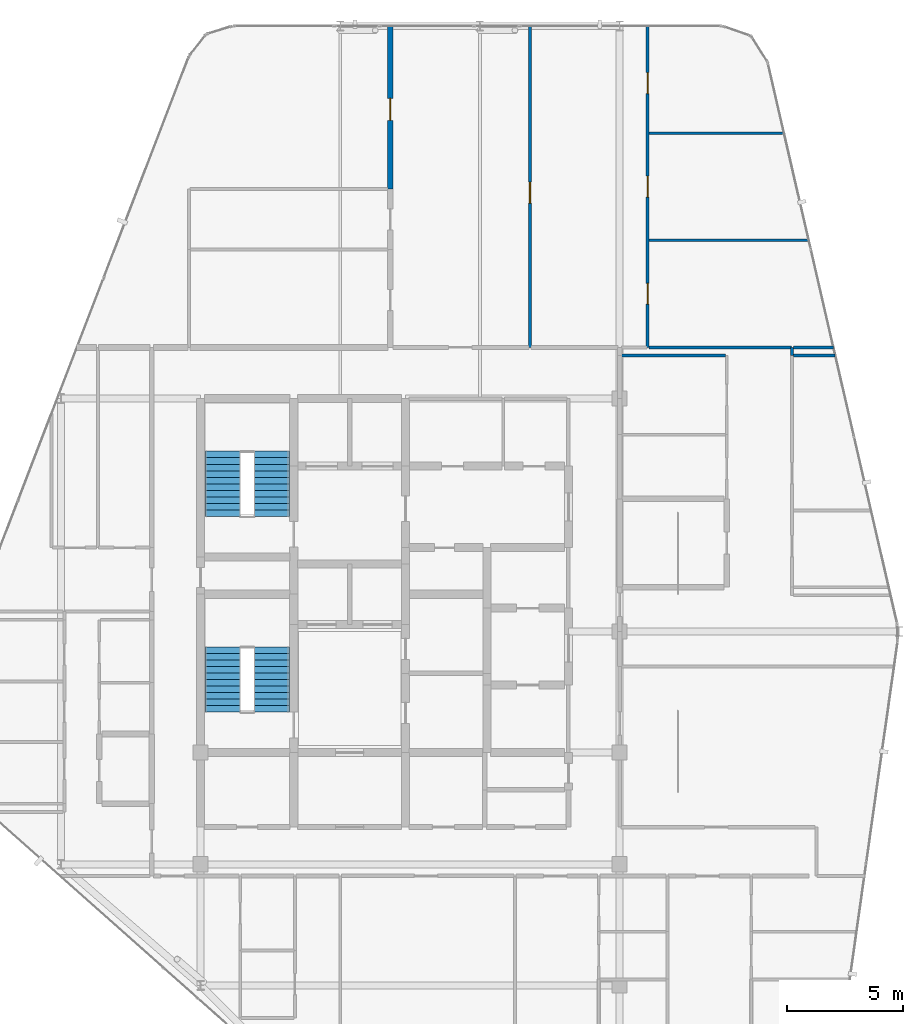
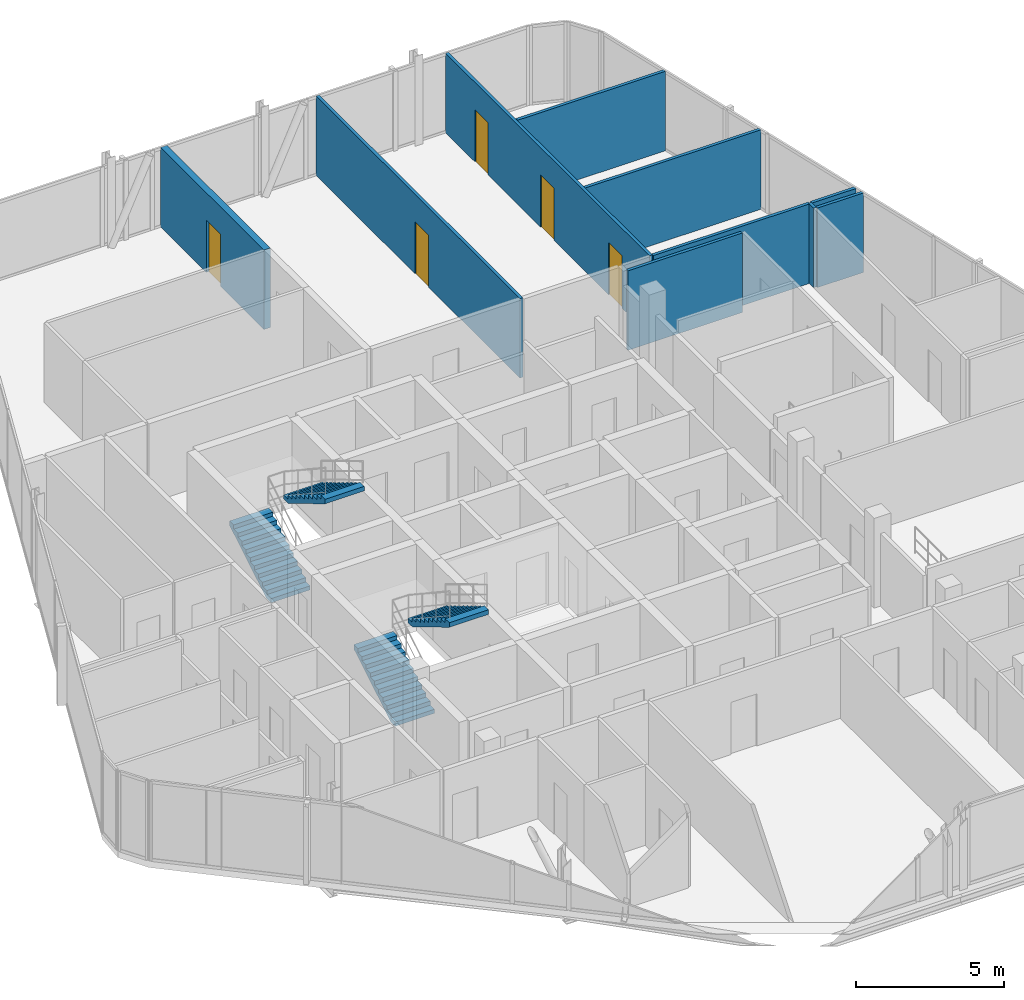
# One storey, part 26 of 27: 10 walls, 5 doors, 4 stair flights, 5 openings, 2 elements without a shape of their own.
"""IFC4 building model written with IfcOpenShell, lengths in metres."""

from ifc_helpers import new_model, si_unit, direction, frame, frame_2d, origin, place, context, subcontext, project, spatial, polyline, rectangle, outline, extrude, material, layer, layer_set, type_object, element, fill, aggregate, save


model = new_model("IFC4")

# Units and contexts
model_context = context("Model", 3, precision=1e-05, world=origin(), true_north=direction((0.0, 1.0)))
body_context = subcontext(model_context, "Body", "Model", "MODEL_VIEW")
ifc_project = project(units=[si_unit("LENGTHUNIT", "METRE"), si_unit("AREAUNIT", "SQUARE_METRE"), si_unit("VOLUMEUNIT", "CUBIC_METRE"), si_unit("PLANEANGLEUNIT", "RADIAN"), si_unit("MASSUNIT", "GRAM", prefix="KILO")], contexts=[model_context])

# Site, building, storey
site_placement = place(None, origin())
site = spatial("IfcSite", under=ifc_project, at=site_placement, CompositionType="ELEMENT")
building_placement = place(site_placement, origin())
building = spatial("IfcBuilding", under=site, at=building_placement, Name="Keshet Zoharim Tower", CompositionType="ELEMENT")
storey_placement = place(building_placement, frame((0.0, 0.0, 311.0)))
storey = spatial("IfcBuildingStorey", under=building, at=storey_placement, Name="L78", CompositionType="ELEMENT", Elevation=311.0)

# Wall, opening, door
ifc_material_1 = material(Name="Concrete C50/60", Category="concrete")
ifc_layer_1 = layer(ifc_material_1, 0.25)
ifc_layer_set_1 = layer_set([ifc_layer_1], Name="Concrete C50/60")
wall_type_1 = type_object("IfcWallType", Name="WL-MAMAD-250", PredefinedType="STANDARD", material=ifc_layer_set_1)
wall_1_placement = place(storey_placement, frame((23.14990234375, 46.89990234375, 0.0), z_axis=(0.0, 0.0, 1.0), x_axis=(0.0, 1.0, 0.0)))
wall_1 = element("IfcWall", 1, at=wall_1_placement, inside=storey, type_object=wall_type_1, Name="L78 Interior Wall 036", PredefinedType="STANDARD", context=body_context, shape_type="SweptSolid", body=[
    extrude(rectangle(XDim=6.989990234375, YDim=0.25, at=frame_2d((3.4951171875, 0.0))), origin(), (0.0, 0.0, 1.0), 3.280029296875),
])
opening_1_placement = place(wall_1_placement, frame((2.948974609375, 0.0, 0.0)))
opening_1 = element("IfcOpeningElement", 2, at=opening_1_placement, cuts=wall_1, Name="Opening D-F695", PredefinedType="OPENING", context=body_context, shape_type="SweptSolid", body=[
    extrude(rectangle(XDim=0.949951171875, YDim=2.14990234375, at=frame_2d((0.47509765625, 1.074951171875))), frame((0.0, 0.135009765625, 0.0), z_axis=(0.0, -1.0, 0.0), x_axis=(1.0, 0.0, 0.0)), (0.0, 0.0, 1.0), 0.27001953125),
])
ifc_material_2 = material(Name="Hardwood Timber", Category="wood")
door_type_1 = type_object("IfcDoorType", Name="DR-FD60-095", OperationType="NOTDEFINED", PredefinedType="DOOR", material=ifc_material_2)
door_1_placement = place(opening_1_placement, origin())
door_1 = element("IfcDoor", 3, at=door_1_placement, inside=storey, type_object=door_type_1, Name="Apartment 7804 Study and Shelter Room Door", OperationType="SINGLE_SWING_RIGHT", OverallHeight=2.14990234375, OverallWidth=0.949951171875, PredefinedType="DOOR", context=body_context, shape_type="SweptSolid", body=[
    extrude(rectangle(XDim=0.949951171875, YDim=2.14990234375, at=frame_2d((0.47509765625, 1.074951171875))), frame((0.0, 0.02490234375, 0.0), z_axis=(0.0, -1.0, 0.0), x_axis=(1.0, 0.0, 0.0)), (0.0, 0.0, 1.0), 0.050048828125),
])
fill(opening_1, door_1)

ifc_material_3 = material(Name="Gypsum Plasterboard", Category="gypsum")
ifc_layer_2 = layer(ifc_material_3, 0.1201171875)
ifc_layer_set_2 = layer_set([ifc_layer_2], Name="Gypsum Plasterboard")
wall_type_2 = type_object("IfcWallType", Name="WL-PART-120", PredefinedType="PARTITIONING", material=ifc_layer_set_2)
wall_2_placement = place(storey_placement, frame((29.14990234375, 40.10009765625, 0.0), z_axis=(0.0, 0.0, 1.0), x_axis=(0.0, 1.0, 0.0)))
wall_2 = element("IfcWall", 4, at=wall_2_placement, inside=storey, type_object=wall_type_2, Name="L78 Interior Wall 052", PredefinedType="PARTITIONING", context=body_context, shape_type="SweptSolid", body=[
    extrude(rectangle(XDim=13.789794921875, YDim=0.1201171875, at=frame_2d((6.89501953125, 0.0))), origin(), (0.0, 0.0, 1.0), 3.280029296875),
])
opening_2_placement = place(wall_2_placement, frame((6.199951171875, 0.0, 0.0)))
opening_2 = element("IfcOpeningElement", 5, at=opening_2_placement, cuts=wall_2, Name="Opening D-IN90", PredefinedType="OPENING", context=body_context, shape_type="SweptSolid", body=[
    extrude(rectangle(XDim=0.89990234375, YDim=2.14990234375, at=frame_2d((0.449951171875, 1.074951171875))), frame((0.0, 0.070068359375, 0.0), z_axis=(0.0, -1.0, 0.0), x_axis=(1.0, 0.0, 0.0)), (0.0, 0.0, 1.0), 0.14013671875),
])
door_type_2 = type_object("IfcDoorType", Name="DR-INT-090", OperationType="NOTDEFINED", PredefinedType="DOOR", material=ifc_material_2)
door_2_placement = place(opening_2_placement, origin())
door_2 = element("IfcDoor", 6, at=door_2_placement, inside=storey, type_object=door_type_2, Name="Apartment 7804 Formal Dining Room Door", OperationType="SINGLE_SWING_RIGHT", OverallHeight=2.14990234375, OverallWidth=0.89990234375, PredefinedType="DOOR", context=body_context, shape_type="SweptSolid", body=[
    extrude(rectangle(XDim=0.89990234375, YDim=2.14990234375, at=frame_2d((0.449951171875, 1.074951171875))), frame((0.0, 0.02490234375, 0.0), z_axis=(0.0, -1.0, 0.0), x_axis=(1.0, 0.0, 0.0)), (0.0, 0.0, 1.0), 0.050048828125),
])
fill(opening_2, door_2)

# Wall, openings, doors
wall_3_placement = place(storey_placement, frame((34.199951171875, 40.10009765625, 0.0), z_axis=(0.0, 0.0, 1.0), x_axis=(0.0, 1.0, 0.0)))
wall_3 = element("IfcWall", 7, at=wall_3_placement, inside=storey, type_object=wall_type_2, Name="L78 Interior Wall 069", PredefinedType="PARTITIONING", context=body_context, shape_type="SweptSolid", body=[
    extrude(rectangle(XDim=13.789794921875, YDim=0.1201171875, at=frame_2d((6.89501953125, 0.0))), origin(), (0.0, 0.0, 1.0), 3.280029296875),
])
opening_3_placement = place(wall_3_placement, frame((1.85205078125, 0.0, 0.0)))
opening_3 = element("IfcOpeningElement", 8, at=opening_3_placement, cuts=wall_3, Name="Opening D-IN90", PredefinedType="OPENING", context=body_context, shape_type="SweptSolid", body=[
    extrude(rectangle(XDim=0.89990234375, YDim=2.14990234375, at=frame_2d((0.449951171875, 1.074951171875))), frame((0.0, 0.070068359375, 0.0), z_axis=(0.0, -1.0, 0.0), x_axis=(1.0, 0.0, 0.0)), (0.0, 0.0, 1.0), 0.14013671875),
])
opening_4_placement = place(wall_3_placement, frame((6.449951171875, 0.0, 0.0)))
opening_4 = element("IfcOpeningElement", 9, at=opening_4_placement, cuts=wall_3, Name="Opening D-IN90", PredefinedType="OPENING", context=body_context, shape_type="SweptSolid", body=[
    extrude(rectangle(XDim=0.89990234375, YDim=2.14990234375, at=frame_2d((0.449951171875, 1.074951171875))), frame((0.0, 0.070068359375, 0.0), z_axis=(0.0, -1.0, 0.0), x_axis=(1.0, 0.0, 0.0)), (0.0, 0.0, 1.0), 0.14013671875),
])
opening_5_placement = place(wall_3_placement, frame((10.89794921875, 0.0, 0.0)))
opening_5 = element("IfcOpeningElement", 10, at=opening_5_placement, cuts=wall_3, Name="Opening D-IN90", PredefinedType="OPENING", context=body_context, shape_type="SweptSolid", body=[
    extrude(rectangle(XDim=0.89990234375, YDim=2.14990234375, at=frame_2d((0.449951171875, 1.074951171875))), frame((0.0, 0.070068359375, 0.0), z_axis=(0.0, -1.0, 0.0), x_axis=(1.0, 0.0, 0.0)), (0.0, 0.0, 1.0), 0.14013671875),
])
door_3_placement = place(opening_3_placement, origin())
door_3 = element("IfcDoor", 11, at=door_3_placement, inside=storey, type_object=door_type_2, Name="Apartment 7804 Bedroom 1 Door", OperationType="SINGLE_SWING_LEFT", OverallHeight=2.14990234375, OverallWidth=0.89990234375, PredefinedType="DOOR", context=body_context, shape_type="SweptSolid", body=[
    extrude(rectangle(XDim=0.89990234375, YDim=2.14990234375, at=frame_2d((0.449951171875, 1.074951171875))), frame((0.0, 0.02490234375, 0.0), z_axis=(0.0, -1.0, 0.0), x_axis=(1.0, 0.0, 0.0)), (0.0, 0.0, 1.0), 0.050048828125),
])
fill(opening_3, door_3)
door_4_placement = place(opening_4_placement, origin())
door_4 = element("IfcDoor", 12, at=door_4_placement, inside=storey, type_object=door_type_2, Name="Apartment 7804 Bedroom 2 Door", OperationType="SINGLE_SWING_RIGHT", OverallHeight=2.14990234375, OverallWidth=0.89990234375, PredefinedType="DOOR", context=body_context, shape_type="SweptSolid", body=[
    extrude(rectangle(XDim=0.89990234375, YDim=2.14990234375, at=frame_2d((0.449951171875, 1.074951171875))), frame((0.0, 0.02490234375, 0.0), z_axis=(0.0, -1.0, 0.0), x_axis=(1.0, 0.0, 0.0)), (0.0, 0.0, 1.0), 0.050048828125),
])
fill(opening_4, door_4)
door_5_placement = place(opening_5_placement, origin())
door_5 = element("IfcDoor", 13, at=door_5_placement, inside=storey, type_object=door_type_2, Name="Apartment 7804 Bedroom 3 Door", OperationType="SINGLE_SWING_LEFT", OverallHeight=2.14990234375, OverallWidth=0.89990234375, PredefinedType="DOOR", context=body_context, shape_type="SweptSolid", body=[
    extrude(rectangle(XDim=0.89990234375, YDim=2.14990234375, at=frame_2d((0.449951171875, 1.074951171875))), frame((0.0, 0.02490234375, 0.0), z_axis=(0.0, -1.0, 0.0), x_axis=(1.0, 0.0, 0.0)), (0.0, 0.0, 1.0), 0.050048828125),
])
fill(opening_5, door_5)

# Walls
wall_4_placement = place(storey_placement, frame((40.39990234375, 39.75, 0.0), z_axis=(0.0, 0.0, 1.0), x_axis=(0.0, 1.0, 0.0)))
element("IfcWall", 14, at=wall_4_placement, inside=storey, type_object=wall_type_2, Name="L78 Interior Wall 081", PredefinedType="PARTITIONING", context=body_context, shape_type="SweptSolid", body=[
    extrude(rectangle(XDim=0.35009765625, YDim=0.1201171875, at=frame_2d((0.175048828125, 0.0))), origin(), (0.0, 0.0, 1.0), 3.280029296875),
])
wall_5_placement = place(storey_placement, frame((33.074951171875, 39.75, 0.0), z_axis=(0.0, 0.0, 1.0), x_axis=(1.0, 0.0, 0.0)))
element("IfcWall", 15, at=wall_5_placement, inside=storey, type_object=wall_type_2, Name="L78 Interior Wall 146", PredefinedType="PARTITIONING", context=body_context, shape_type="SweptSolid", body=[
    extrude(rectangle(XDim=4.4599609375, YDim=0.1201171875, at=frame_2d((2.22998046875, 0.0))), origin(), (0.0, 0.0, 1.0), 3.280029296875),
])
wall_6_placement = place(storey_placement, frame((40.465087890625, 39.75, 0.0), z_axis=(0.0, 0.0, 1.0), x_axis=(1.0, 0.0, 0.0)))
element("IfcWall", 16, at=wall_6_placement, inside=storey, type_object=wall_type_2, Name="L78 Interior Wall 147", PredefinedType="PARTITIONING", context=body_context, shape_type="SweptSolid", body=[
    extrude(rectangle(XDim=1.789794921875, YDim=0.1201171875, at=frame_2d((0.89501953125, 0.0))), origin(), (0.0, 0.0, 1.0), 3.280029296875),
])
wall_7_placement = place(storey_placement, frame((34.264892578125, 40.10009765625, 0.0), z_axis=(0.0, 0.0, 1.0), x_axis=(1.0, 0.0, 0.0)))
element("IfcWall", 17, at=wall_7_placement, inside=storey, type_object=wall_type_2, Name="L78 Interior Wall 155", PredefinedType="PARTITIONING", context=body_context, shape_type="SweptSolid", body=[
    extrude(rectangle(XDim=6.110107421875, YDim=0.1201171875, at=frame_2d((3.05517578125, 0.0))), origin(), (0.0, 0.0, 1.0), 3.280029296875),
])
wall_8_placement = place(storey_placement, frame((40.465087890625, 40.10009765625, 0.0), z_axis=(0.0, 0.0, 1.0), x_axis=(1.0, 0.0, 0.0)))
element("IfcWall", 18, at=wall_8_placement, inside=storey, type_object=wall_type_2, Name="L78 Interior Wall 156", PredefinedType="PARTITIONING", context=body_context, shape_type="SweptSolid", body=[
    extrude(rectangle(XDim=1.7099609375, YDim=0.1201171875, at=frame_2d((0.85498046875, 0.0))), origin(), (0.0, 0.0, 1.0), 3.280029296875),
])
wall_9_placement = place(storey_placement, frame((34.264892578125, 44.699951171875, 0.0), z_axis=(0.0, 0.0, 1.0), x_axis=(1.0, 0.0, 0.0)))
element("IfcWall", 19, at=wall_9_placement, inside=storey, type_object=wall_type_2, Name="L78 Interior Wall 158", PredefinedType="PARTITIONING", context=body_context, shape_type="SweptSolid", body=[
    extrude(rectangle(XDim=6.84814453125, YDim=0.1201171875, at=frame_2d((3.424072265625, 0.0))), origin(), (0.0, 0.0, 1.0), 3.280029296875),
])
wall_10_placement = place(storey_placement, frame((34.264892578125, 49.300048828125, 0.0), z_axis=(0.0, 0.0, 1.0), x_axis=(1.0, 0.0, 0.0)))
element("IfcWall", 20, at=wall_10_placement, inside=storey, type_object=wall_type_2, Name="L78 Interior Wall 160", PredefinedType="PARTITIONING", context=body_context, shape_type="SweptSolid", body=[
    extrude(rectangle(XDim=5.787109375, YDim=0.1201171875, at=frame_2d((2.8935546875, 0.0))), origin(), (0.0, 0.0, 1.0), 3.280029296875),
])

# Stair, stair flights
stair_type = type_object("IfcStairType", Name="STR-EXIT-135", PredefinedType="HALF_TURN_STAIR", material=ifc_material_1)
stair_1_placement = place(storey_placement, origin())
stair_1 = element("IfcStair", 21, at=stair_1_placement, inside=storey, type_object=stair_type, Name="L78 Enclosed Exit Stair ST-01", PredefinedType="HALF_TURN_STAIR")
stair_flight_type = type_object("IfcStairFlightType", Name="FLT-PRE-135", PredefinedType="STRAIGHT", material=ifc_material_1)
stair_flight_1_placement = place(storey_placement, frame((15.945068359375, 24.43994140625, 0.0), z_axis=(0.0, 0.0, 1.0), x_axis=(0.0, 1.0, 0.0)))
stair_flight_1 = element("IfcStairFlight", 22, at=stair_flight_1_placement, type_object=stair_flight_type, Name="ST-01 flight 1", NumberOfRisers=11, NumberOfTreads=10, PredefinedType="STRAIGHT", RiserHeight=0.168182, TreadLength=0.28, context=body_context, shape_type="SweptSolid", body=[
    extrude(outline(polyline([(0.0, 0.0), (0.0, 0.168212890625), (0.280029296875, 0.168212890625), (0.280029296875, 0.33642578125), (0.56005859375, 0.33642578125), (0.56005859375, 0.504638671875), (0.840087890625, 0.504638671875), (0.840087890625, 0.672607421875), (1.1201171875, 0.672607421875), (1.1201171875, 0.8408203125), (1.39990234375, 0.8408203125), (1.39990234375, 1.009033203125), (1.679931640625, 1.009033203125), (1.679931640625, 1.17724609375), (1.9599609375, 1.17724609375), (1.9599609375, 1.345458984375), (2.239990234375, 1.345458984375), (2.239990234375, 1.513671875), (2.52001953125, 1.513671875), (2.52001953125, 1.681884765625), (2.800048828125, 1.681884765625), (2.800048828125, 1.85009765625), (2.800048828125, 1.495361328125), (0.310546875, 0.0), (0.0, 0.0)])), frame((0.0, 0.76513671875, 0.0), z_axis=(0.0, -1.0, 0.0), x_axis=(1.0, 0.0, 0.0)), (0.0, 0.0, 1.0), 1.530029296875),
])
stair_flight_2_placement = place(storey_placement, frame((18.054931640625, 27.239990234375, 1.85009765625), z_axis=(0.0, 0.0, 1.0), x_axis=(0.0, -1.0, 0.0)))
stair_flight_2 = element("IfcStairFlight", 23, at=stair_flight_2_placement, type_object=stair_flight_type, Name="ST-01 flight 2", NumberOfRisers=11, NumberOfTreads=10, PredefinedType="STRAIGHT", RiserHeight=0.168182, TreadLength=0.28, context=body_context, shape_type="SweptSolid", body=[
    extrude(outline(polyline([(0.0, 0.0), (0.0, 0.168212890625), (0.280029296875, 0.168212890625), (0.280029296875, 0.33642578125), (0.56005859375, 0.33642578125), (0.56005859375, 0.504638671875), (0.840087890625, 0.504638671875), (0.840087890625, 0.672607421875), (1.1201171875, 0.672607421875), (1.1201171875, 0.8408203125), (1.39990234375, 0.8408203125), (1.39990234375, 1.009033203125), (1.679931640625, 1.009033203125), (1.679931640625, 1.17724609375), (1.9599609375, 1.17724609375), (1.9599609375, 1.345458984375), (2.239990234375, 1.345458984375), (2.239990234375, 1.513671875), (2.52001953125, 1.513671875), (2.52001953125, 1.681884765625), (2.800048828125, 1.681884765625), (2.800048828125, 1.85009765625), (2.800048828125, 1.495361328125), (0.310546875, 0.0), (0.0, 0.0)])), frame((0.0, 0.76513671875, 0.0), z_axis=(0.0, -1.0, 0.0), x_axis=(1.0, 0.0, 0.0)), (0.0, 0.0, 1.0), 1.530029296875),
])
aggregate(stair_1, [stair_flight_1, stair_flight_2])

stair_2_placement = place(storey_placement, origin())
stair_2 = element("IfcStair", 24, at=stair_2_placement, inside=storey, type_object=stair_type, Name="L78 Enclosed Exit Stair ST-02", PredefinedType="HALF_TURN_STAIR")
stair_flight_3_placement = place(storey_placement, frame((15.945068359375, 32.840087890625, 0.0), z_axis=(0.0, 0.0, 1.0), x_axis=(0.0, 1.0, 0.0)))
stair_flight_3 = element("IfcStairFlight", 25, at=stair_flight_3_placement, type_object=stair_flight_type, Name="ST-02 flight 1", NumberOfRisers=11, NumberOfTreads=10, PredefinedType="STRAIGHT", RiserHeight=0.168182, TreadLength=0.28, context=body_context, shape_type="SweptSolid", body=[
    extrude(outline(polyline([(0.0, 0.0), (0.0, 0.168212890625), (0.280029296875, 0.168212890625), (0.280029296875, 0.33642578125), (0.56005859375, 0.33642578125), (0.56005859375, 0.504638671875), (0.840087890625, 0.504638671875), (0.840087890625, 0.672607421875), (1.1201171875, 0.672607421875), (1.1201171875, 0.8408203125), (1.39990234375, 0.8408203125), (1.39990234375, 1.009033203125), (1.679931640625, 1.009033203125), (1.679931640625, 1.17724609375), (1.9599609375, 1.17724609375), (1.9599609375, 1.345458984375), (2.239990234375, 1.345458984375), (2.239990234375, 1.513671875), (2.52001953125, 1.513671875), (2.52001953125, 1.681884765625), (2.800048828125, 1.681884765625), (2.800048828125, 1.85009765625), (2.800048828125, 1.495361328125), (0.310546875, 0.0), (0.0, 0.0)])), frame((0.0, 0.76513671875, 0.0), z_axis=(0.0, -1.0, 0.0), x_axis=(1.0, 0.0, 0.0)), (0.0, 0.0, 1.0), 1.530029296875),
])
stair_flight_4_placement = place(storey_placement, frame((18.054931640625, 35.639892578125, 1.85009765625), z_axis=(0.0, 0.0, 1.0), x_axis=(0.0, -1.0, 0.0)))
stair_flight_4 = element("IfcStairFlight", 26, at=stair_flight_4_placement, type_object=stair_flight_type, Name="ST-02 flight 2", NumberOfRisers=11, NumberOfTreads=10, PredefinedType="STRAIGHT", RiserHeight=0.168182, TreadLength=0.28, context=body_context, shape_type="SweptSolid", body=[
    extrude(outline(polyline([(0.0, 0.0), (0.0, 0.168212890625), (0.280029296875, 0.168212890625), (0.280029296875, 0.33642578125), (0.56005859375, 0.33642578125), (0.56005859375, 0.504638671875), (0.840087890625, 0.504638671875), (0.840087890625, 0.672607421875), (1.1201171875, 0.672607421875), (1.1201171875, 0.8408203125), (1.39990234375, 0.8408203125), (1.39990234375, 1.009033203125), (1.679931640625, 1.009033203125), (1.679931640625, 1.17724609375), (1.9599609375, 1.17724609375), (1.9599609375, 1.345458984375), (2.239990234375, 1.345458984375), (2.239990234375, 1.513671875), (2.52001953125, 1.513671875), (2.52001953125, 1.681884765625), (2.800048828125, 1.681884765625), (2.800048828125, 1.85009765625), (2.800048828125, 1.495361328125), (0.310546875, 0.0), (0.0, 0.0)])), frame((0.0, 0.76513671875, 0.0), z_axis=(0.0, -1.0, 0.0), x_axis=(1.0, 0.0, 0.0)), (0.0, 0.0, 1.0), 1.530029296875),
])
aggregate(stair_2, [stair_flight_3, stair_flight_4])

save(model, "model.ifc")
